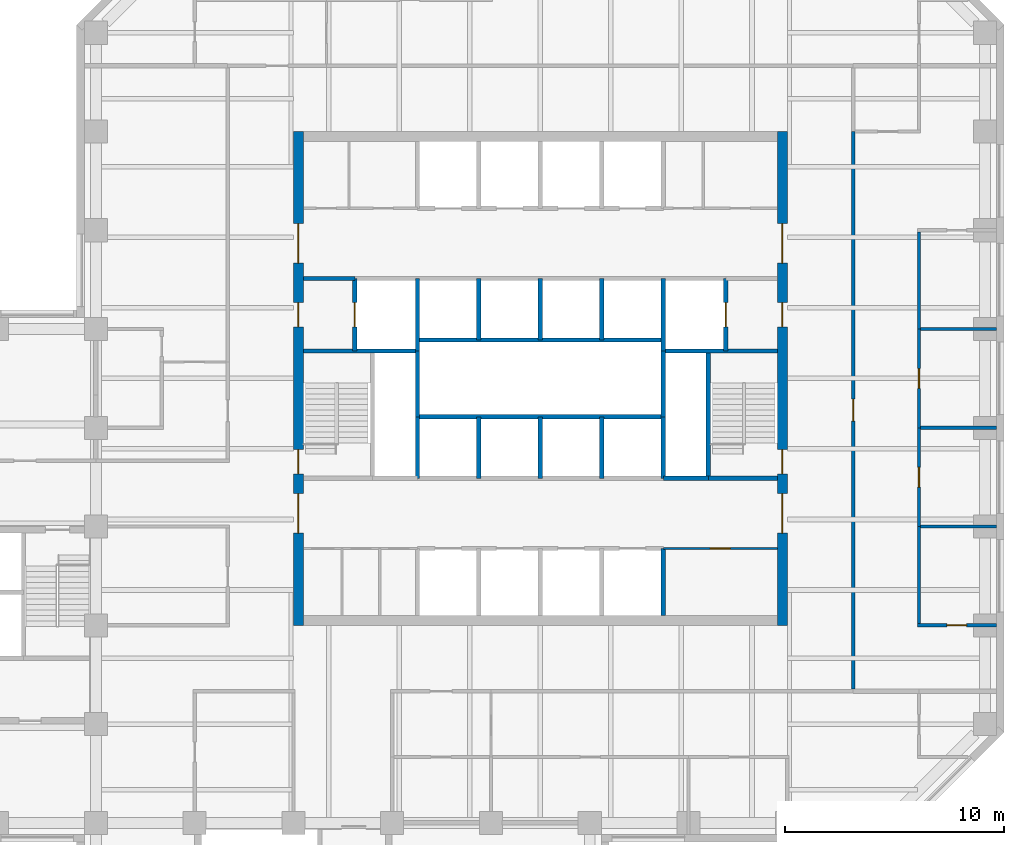
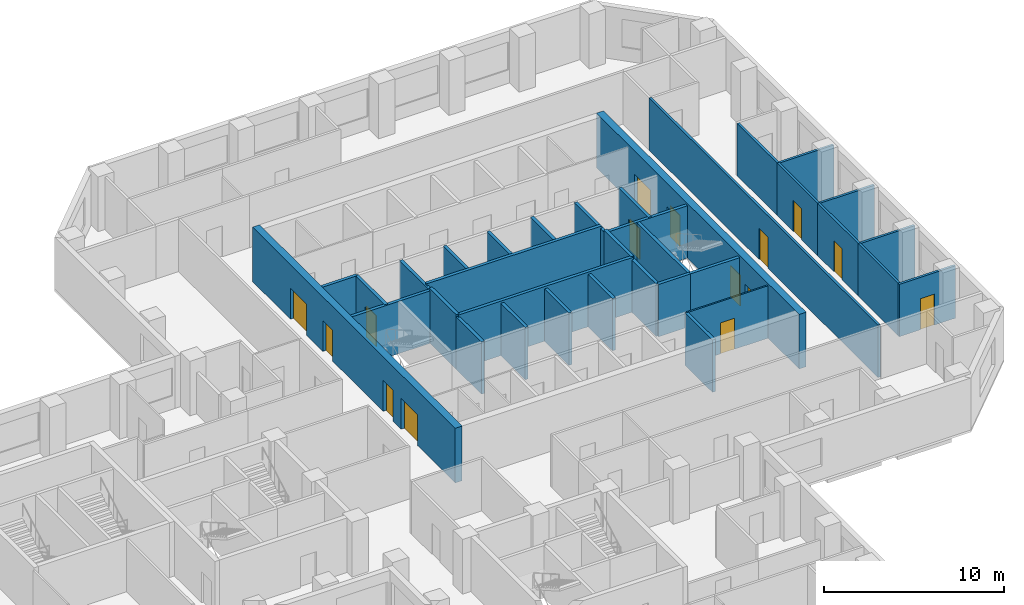
# One storey, part 7 of 11: 35 walls, 15 doors, 15 openings.
"""IFC4 building model written with IfcOpenShell, lengths in metres."""

from ifc_helpers import new_model, si_unit, direction, frame, frame_2d, origin, place, context, subcontext, project, spatial, rectangle, extrude, material, layer, layer_set, type_object, element, fill, save


model = new_model("IFC4")

# Units and contexts
model_context = context("Model", 3, precision=1e-05, world=origin(), true_north=direction((0.0, 1.0)))
body_context = subcontext(model_context, "Body", "Model", "MODEL_VIEW")
ifc_project = project(units=[si_unit("LENGTHUNIT", "METRE"), si_unit("AREAUNIT", "SQUARE_METRE"), si_unit("VOLUMEUNIT", "CUBIC_METRE"), si_unit("PLANEANGLEUNIT", "RADIAN"), si_unit("MASSUNIT", "GRAM", prefix="KILO")], contexts=[model_context])

# Site, building, storey
site_placement = place(None, origin())
site = spatial("IfcSite", under=ifc_project, at=site_placement, CompositionType="ELEMENT")
building_placement = place(site_placement, origin())
building = spatial("IfcBuilding", under=site, at=building_placement, Name="Quoin Convention Tower", CompositionType="ELEMENT")
storey_placement = place(building_placement, frame((0.0, 0.0, 101.10009765625)))
storey = spatial("IfcBuildingStorey", under=building, at=storey_placement, Name="L26", CompositionType="ELEMENT", Elevation=101.10009765625)

# Wall, opening, door
ifc_material_1 = material(Name="Plasterboard")
ifc_layer_1 = layer(ifc_material_1, 0.012451171875, Name="Finish")
ifc_material_2 = material(Name="Steel stud framing", Category="steel")
ifc_layer_2 = layer(ifc_material_2, 0.125, Name="Structure")
ifc_layer_3 = layer(ifc_material_1, 0.012451171875, Name="Finish")
ifc_layer_set_1 = layer_set([ifc_layer_1, ifc_layer_2, ifc_layer_3], Name="Steel stud framing")
wall_type_1 = type_object("IfcWallType", Name="Acoustic partition 150", PredefinedType="PARTITIONING", material=ifc_layer_set_1)
wall_1_placement = place(storey_placement, frame((73.425048828125, 49.5, 0.0), z_axis=(0.0, 0.0, 1.0), x_axis=(1.0, 0.0, 0.0)))
wall_1 = element("IfcWall", 1, at=wall_1_placement, inside=storey, type_object=wall_type_1, Name="pw-L26-025", PredefinedType="PARTITIONING", context=body_context, shape_type="SweptSolid", body=[
    extrude(rectangle(XDim=3.599853515625, YDim=0.14990234375, at=frame_2d((1.7998046875, 0.0))), origin(), (0.0, 0.0, 1.0), 3.5498046875),
])
opening_1_placement = place(wall_1_placement, frame((1.35009765625, 0.0, 0.0)))
opening_1 = element("IfcOpeningElement", 2, at=opening_1_placement, cuts=wall_1, Name="Opening DOL4-10", PredefinedType="OPENING", context=body_context, shape_type="SweptSolid", body=[
    extrude(rectangle(XDim=0.89990234375, YDim=2.10009765625, at=frame_2d((0.449951171875, 1.050048828125))), frame((0.0, 0.0849609375, 0.0), z_axis=(0.0, -1.0, 0.0), x_axis=(1.0, 0.0, 0.0)), (0.0, 0.0, 1.0), 0.169921875),
])
ifc_material_3 = material(Name="Steel door leaf", Category="steel")
door_type_1 = type_object("IfcDoorType", Name="Office door 900 x 2100", OperationType="SINGLE_SWING_RIGHT", PredefinedType="DOOR", material=ifc_material_3)
door_1_placement = place(opening_1_placement, frame((0.89990234375, 0.0, 0.0), z_axis=(0.0, 0.0, 1.0), x_axis=(-1.0, 0.0, 0.0)))
door_1 = element("IfcDoor", 3, at=door_1_placement, inside=storey, type_object=door_type_1, Name="dr-L26-25", OperationType="SINGLE_SWING_LEFT", OverallHeight=2.10009765625, OverallWidth=0.89990234375, PredefinedType="DOOR", context=body_context, shape_type="SweptSolid", body=[
    extrude(rectangle(XDim=0.89990234375, YDim=2.10009765625, at=frame_2d((0.449951171875, 1.050048828125))), frame((0.0, 0.02490234375, 0.0), z_axis=(0.0, -1.0, 0.0), x_axis=(1.0, 0.0, 0.0)), (0.0, 0.0, 1.0), 0.050048828125),
])
fill(opening_1, door_1)

# Walls
for number, where, z_axis, x_axis, name in (
    (4, (73.574951171875, 54.0, 0.0), (0.0, 0.0, 1.0), (1.0, 0.0, 0.0), "pw-L26-028"),
    (5, (73.574951171875, 58.5, 0.0), (0.0, 0.0, 1.0), (1.0, 0.0, 0.0), "pw-L26-032"),
    (6, (73.574951171875, 63.0, 0.0), (0.0, 0.0, 1.0), (1.0, 0.0, 0.0), "pw-L26-038"),
):
    element("IfcWall", number, at=place(storey_placement, frame(where, z_axis=z_axis, x_axis=x_axis)), inside=storey, type_object=wall_type_1, Name=name, PredefinedType="PARTITIONING", context=body_context, shape_type="SweptSolid", body=[
        extrude(rectangle(XDim=3.449951171875, YDim=0.14990234375, at=frame_2d((1.72509765625, 0.0))), origin(), (0.0, 0.0, 1.0), 3.5498046875),
    ])
wall_2_placement = place(storey_placement, frame((73.5, 49.574951171875, 0.0), z_axis=(0.0, 0.0, 1.0), x_axis=(0.0, 1.0, 0.0)))
element("IfcWall", 7, at=wall_2_placement, inside=storey, type_object=wall_type_1, Name="pw-L26-071", PredefinedType="PARTITIONING", context=body_context, shape_type="SweptSolid", body=[
    extrude(rectangle(XDim=4.425048828125, YDim=0.14990234375, at=frame_2d((2.21240234375, 0.0))), origin(), (0.0, 0.0, 1.0), 3.5498046875),
])

# Wall, opening, door
wall_3_placement = place(storey_placement, frame((73.5, 54.0, 0.0), z_axis=(0.0, 0.0, 1.0), x_axis=(0.0, 1.0, 0.0)))
wall_3 = element("IfcWall", 8, at=wall_3_placement, inside=storey, type_object=wall_type_1, Name="pw-L26-072", PredefinedType="PARTITIONING", context=body_context, shape_type="SweptSolid", body=[
    extrude(rectangle(XDim=4.5, YDim=0.14990234375, at=frame_2d((2.25, 0.0))), origin(), (0.0, 0.0, 1.0), 3.5498046875),
])
opening_2_placement = place(wall_3_placement, frame((1.800048828125, 0.0, 0.0)))
opening_2 = element("IfcOpeningElement", 9, at=opening_2_placement, cuts=wall_3, Name="Opening DOL4-24", PredefinedType="OPENING", context=body_context, shape_type="SweptSolid", body=[
    extrude(rectangle(XDim=0.89990234375, YDim=2.10009765625, at=frame_2d((0.449951171875, 1.050048828125))), frame((0.0, 0.0849609375, 0.0), z_axis=(0.0, -1.0, 0.0), x_axis=(1.0, 0.0, 0.0)), (0.0, 0.0, 1.0), 0.169921875),
])
door_2_placement = place(opening_2_placement, origin())
door_2 = element("IfcDoor", 10, at=door_2_placement, inside=storey, type_object=door_type_1, Name="dr-L26-26", OperationType="SINGLE_SWING_RIGHT", OverallHeight=2.10009765625, OverallWidth=0.89990234375, PredefinedType="DOOR", context=body_context, shape_type="SweptSolid", body=[
    extrude(rectangle(XDim=0.89990234375, YDim=2.10009765625, at=frame_2d((0.449951171875, 1.050048828125))), frame((0.0, 0.02490234375, 0.0), z_axis=(0.0, -1.0, 0.0), x_axis=(1.0, 0.0, 0.0)), (0.0, 0.0, 1.0), 0.050048828125),
])
fill(opening_2, door_2)

wall_4_placement = place(storey_placement, frame((73.5, 58.5, 0.0), z_axis=(0.0, 0.0, 1.0), x_axis=(0.0, 1.0, 0.0)))
wall_4 = element("IfcWall", 11, at=wall_4_placement, inside=storey, type_object=wall_type_1, Name="pw-L26-076", PredefinedType="PARTITIONING", context=body_context, shape_type="SweptSolid", body=[
    extrude(rectangle(XDim=4.5, YDim=0.14990234375, at=frame_2d((2.25, 0.0))), origin(), (0.0, 0.0, 1.0), 3.5498046875),
])
opening_3_placement = place(wall_4_placement, frame((1.800048828125, 0.0, 0.0)))
opening_3 = element("IfcOpeningElement", 12, at=opening_3_placement, cuts=wall_4, Name="Opening DOL4-26", PredefinedType="OPENING", context=body_context, shape_type="SweptSolid", body=[
    extrude(rectangle(XDim=0.89990234375, YDim=2.10009765625, at=frame_2d((0.449951171875, 1.050048828125))), frame((0.0, 0.0849609375, 0.0), z_axis=(0.0, -1.0, 0.0), x_axis=(1.0, 0.0, 0.0)), (0.0, 0.0, 1.0), 0.169921875),
])
door_3_placement = place(opening_3_placement, origin())
door_3 = element("IfcDoor", 13, at=door_3_placement, inside=storey, type_object=door_type_1, Name="dr-L26-27", OperationType="SINGLE_SWING_RIGHT", OverallHeight=2.10009765625, OverallWidth=0.89990234375, PredefinedType="DOOR", context=body_context, shape_type="SweptSolid", body=[
    extrude(rectangle(XDim=0.89990234375, YDim=2.10009765625, at=frame_2d((0.449951171875, 1.050048828125))), frame((0.0, 0.02490234375, 0.0), z_axis=(0.0, -1.0, 0.0), x_axis=(1.0, 0.0, 0.0)), (0.0, 0.0, 1.0), 0.050048828125),
])
fill(opening_3, door_3)

# Wall
wall_5_placement = place(storey_placement, frame((73.5, 63.0, 0.0), z_axis=(0.0, 0.0, 1.0), x_axis=(0.0, 1.0, 0.0)))
element("IfcWall", 14, at=wall_5_placement, inside=storey, type_object=wall_type_1, Name="pw-L26-086", PredefinedType="PARTITIONING", context=body_context, shape_type="SweptSolid", body=[
    extrude(rectangle(XDim=4.425048828125, YDim=0.14990234375, at=frame_2d((2.21240234375, 0.0))), origin(), (0.0, 0.0, 1.0), 3.5498046875),
])

# Wall, opening, door
ifc_layer_4 = layer(ifc_material_1, 0.012451171875, Name="Finish")
ifc_layer_5 = layer(ifc_material_2, 0.074951171875, Name="Structure")
ifc_layer_6 = layer(ifc_material_1, 0.012451171875, Name="Finish")
ifc_layer_set_2 = layer_set([ifc_layer_4, ifc_layer_5, ifc_layer_6], Name="Steel stud framing")
wall_type_2 = type_object("IfcWallType", Name="Core partition wall", PredefinedType="PARTITIONING", material=ifc_layer_set_2)
wall_6_placement = place(storey_placement, frame((61.85009765625, 53.0, 0.0), z_axis=(0.0, 0.0, 1.0), x_axis=(1.0, 0.0, 0.0)))
wall_6 = element("IfcWall", 15, at=wall_6_placement, inside=storey, type_object=wall_type_2, Name="cr-C1-L26-h3500_16850", PredefinedType="PARTITIONING", context=body_context, shape_type="SweptSolid", body=[
    extrude(rectangle(XDim=5.199951171875, YDim=0.10009765625, at=frame_2d((2.60009765625, 0.0))), origin(), (0.0, 0.0, 1.0), 3.5498046875),
])
opening_4_placement = place(wall_6_placement, frame((2.14990234375, 0.0, 0.0)))
opening_4 = element("IfcOpeningElement", 16, at=opening_4_placement, cuts=wall_6, Name="Opening DCV3-20", PredefinedType="OPENING", context=body_context, shape_type="SweptSolid", body=[
    extrude(rectangle(XDim=0.89990234375, YDim=2.10009765625, at=frame_2d((0.449951171875, 1.050048828125))), frame((0.0, 0.06005859375, 0.0), z_axis=(0.0, -1.0, 0.0), x_axis=(1.0, 0.0, 0.0)), (0.0, 0.0, 1.0), 0.1201171875),
])
door_type_2 = type_object("IfcDoorType", Name="Core room door 900 x 2100", OperationType="SINGLE_SWING_LEFT", PredefinedType="DOOR", material=ifc_material_3)
door_4_placement = place(opening_4_placement, frame((0.89990234375, 0.0, 0.0), z_axis=(0.0, 0.0, 1.0), x_axis=(-1.0, 0.0, 0.0)))
door_4 = element("IfcDoor", 17, at=door_4_placement, inside=storey, type_object=door_type_2, Name="cd-C1-L26-CSE0-lobA-CD2611", OperationType="SINGLE_SWING_RIGHT", OverallHeight=2.10009765625, OverallWidth=0.89990234375, PredefinedType="DOOR", context=body_context, shape_type="SweptSolid", body=[
    extrude(rectangle(XDim=0.89990234375, YDim=2.10009765625, at=frame_2d((0.449951171875, 1.050048828125))), frame((0.0, 0.02490234375, 0.0), z_axis=(0.0, -1.0, 0.0), x_axis=(1.0, 0.0, 0.0)), (0.0, 0.0, 1.0), 0.050048828125),
])
fill(opening_4, door_4)

# Walls
ifc_material_4 = material(Name="Concrete C50", Category="concrete")
ifc_layer_7 = layer(ifc_material_4, 0.199951171875)
ifc_layer_set_3 = layer_set([ifc_layer_7], Name="Concrete C50")
wall_type_3 = type_object("IfcWallType", Name="Core shaft wall", PredefinedType="SOLIDWALL", material=ifc_layer_set_3)
wall_7_placement = place(storey_placement, frame((61.85009765625, 56.199951171875, 0.0), z_axis=(0.0, 0.0, 1.0), x_axis=(1.0, 0.0, 0.0)))
element("IfcWall", 18, at=wall_7_placement, inside=storey, type_object=wall_type_3, Name="cr-C1-L26-h6700_16850", PredefinedType="SOLIDWALL", context=body_context, shape_type="SweptSolid", body=[
    extrude(rectangle(XDim=2.0498046875, YDim=0.199951171875, at=frame_2d((1.02490234375, 0.0))), origin(), (0.0, 0.0, 1.0), 3.5498046875),
])
wall_8_placement = place(storey_placement, frame((63.89990234375, 56.199951171875, 0.0), z_axis=(0.0, 0.0, 1.0), x_axis=(1.0, 0.0, 0.0)))
element("IfcWall", 19, at=wall_8_placement, inside=storey, type_object=wall_type_3, Name="cr-C1-L26-h6700_18900", PredefinedType="SOLIDWALL", context=body_context, shape_type="SweptSolid", body=[
    extrude(rectangle(XDim=3.150146484375, YDim=0.199951171875, at=frame_2d((1.5751953125, 0.0))), origin(), (0.0, 0.0, 1.0), 3.5498046875),
])
for number, where, z_axis, x_axis, name in (
    (20, (45.449951171875, 62.0, 0.0), (0.0, 0.0, 1.0), (1.0, 0.0, 0.0), "cr-C1-L26-h12500_450"),
    (21, (61.85009765625, 62.0, 0.0), (0.0, 0.0, 1.0), (1.0, 0.0, 0.0), "cr-C1-L26-h12500_16850"),
):
    element("IfcWall", number, at=place(storey_placement, frame(where, z_axis=z_axis, x_axis=x_axis)), inside=storey, type_object=wall_type_3, Name=name, PredefinedType="SOLIDWALL", context=body_context, shape_type="SweptSolid", body=[
        extrude(rectangle(XDim=5.199951171875, YDim=0.199951171875, at=frame_2d((2.60009765625, 0.0))), origin(), (0.0, 0.0, 1.0), 3.5498046875),
    ])
wall_9_placement = place(storey_placement, frame((45.449951171875, 65.300048828125, 0.0), z_axis=(0.0, 0.0, 1.0), x_axis=(1.0, 0.0, 0.0)))
element("IfcWall", 22, at=wall_9_placement, inside=storey, type_object=wall_type_3, Name="cr-C1-L26-h15800_450", PredefinedType="SOLIDWALL", context=body_context, shape_type="SweptSolid", body=[
    extrude(rectangle(XDim=2.35009765625, YDim=0.199951171875, at=frame_2d((1.175048828125, 0.0))), origin(), (0.0, 0.0, 1.0), 3.5498046875),
])

# Wall, opening, door
wall_10_placement = place(storey_placement, frame((47.800048828125, 62.0, 0.0), z_axis=(0.0, 0.0, 1.0), x_axis=(0.0, 1.0, 0.0)))
wall_10 = element("IfcWall", 23, at=wall_10_placement, inside=storey, type_object=wall_type_3, Name="cr-C1-L26-v2800_12500", PredefinedType="SOLIDWALL", context=body_context, shape_type="SweptSolid", body=[
    extrude(rectangle(XDim=3.300048828125, YDim=0.199951171875, at=frame_2d((1.64990234375, 0.0))), origin(), (0.0, 0.0, 1.0), 3.5498046875),
])
opening_5_placement = place(wall_10_placement, frame((1.10009765625, 0.0, 0.0)))
opening_5 = element("IfcOpeningElement", 24, at=opening_5_placement, cuts=wall_10, Name="Opening LDFL1", PredefinedType="OPENING", context=body_context, shape_type="SweptSolid", body=[
    extrude(rectangle(XDim=1.10009765625, YDim=2.10009765625, at=frame_2d((0.550048828125, 1.050048828125))), frame((0.0, 0.10986328125, 0.0), z_axis=(0.0, -1.0, 0.0), x_axis=(1.0, 0.0, 0.0)), (0.0, 0.0, 1.0), 0.219970703125),
])
door_type_3 = type_object("IfcDoorType", Name="Lift landing door 1100 x 2100", OperationType="DOUBLE_DOOR_SLIDING", PredefinedType="DOOR", material=ifc_material_3)
door_5_placement = place(opening_5_placement, origin())
door_5 = element("IfcDoor", 25, at=door_5_placement, inside=storey, type_object=door_type_3, Name="cd-C1-L26-FLW-FFW-LDFL1", OperationType="DOUBLE_DOOR_SLIDING", OverallHeight=2.10009765625, OverallWidth=1.10009765625, PredefinedType="DOOR", context=body_context, shape_type="SweptSolid", body=[
    extrude(rectangle(XDim=1.10009765625, YDim=2.10009765625, at=frame_2d((0.550048828125, 1.050048828125))), frame((0.0, 0.02490234375, 0.0), z_axis=(0.0, -1.0, 0.0), x_axis=(1.0, 0.0, 0.0)), (0.0, 0.0, 1.0), 0.050048828125),
])
fill(opening_5, door_5)

# Walls
wall_11_placement = place(storey_placement, frame((50.64990234375, 56.199951171875, 0.0), z_axis=(0.0, 0.0, 1.0), x_axis=(0.0, 1.0, 0.0)))
element("IfcWall", 26, at=wall_11_placement, inside=storey, type_object=wall_type_3, Name="cr-C1-L26-v5650_6700", PredefinedType="SOLIDWALL", context=body_context, shape_type="SweptSolid", body=[
    extrude(rectangle(XDim=2.800048828125, YDim=0.199951171875, at=frame_2d((1.39990234375, 0.0))), origin(), (0.0, 0.0, 1.0), 3.5498046875),
])
wall_12_placement = place(storey_placement, frame((50.64990234375, 62.0, 0.0), z_axis=(0.0, 0.0, 1.0), x_axis=(0.0, 1.0, 0.0)))
element("IfcWall", 27, at=wall_12_placement, inside=storey, type_object=wall_type_3, Name="cr-C1-L26-v5650_12500", PredefinedType="SOLIDWALL", context=body_context, shape_type="SweptSolid", body=[
    extrude(rectangle(XDim=3.300048828125, YDim=0.199951171875, at=frame_2d((1.64990234375, 0.0))), origin(), (0.0, 0.0, 1.0), 3.5498046875),
])
for number, where, z_axis, x_axis, name in (
    (28, (53.449951171875, 56.199951171875, 0.0), (0.0, 0.0, 1.0), (0.0, 1.0, 0.0), "cr-C1-L26-v8450_6700"),
    (29, (53.449951171875, 62.5, 0.0), (0.0, 0.0, 1.0), (0.0, 1.0, 0.0), "cr-C1-L26-v8450_13000"),
    (30, (56.25, 56.199951171875, 0.0), (0.0, 0.0, 1.0), (0.0, 1.0, 0.0), "cr-C1-L26-v11250_6700"),
    (31, (56.25, 62.5, 0.0), (0.0, 0.0, 1.0), (0.0, 1.0, 0.0), "cr-C1-L26-v11250_13000"),
    (32, (59.050048828125, 56.199951171875, 0.0), (0.0, 0.0, 1.0), (0.0, 1.0, 0.0), "cr-C1-L26-v14050_6700"),
    (33, (59.050048828125, 62.5, 0.0), (0.0, 0.0, 1.0), (0.0, 1.0, 0.0), "cr-C1-L26-v14050_13000"),
):
    element("IfcWall", number, at=place(storey_placement, frame(where, z_axis=z_axis, x_axis=x_axis)), inside=storey, type_object=wall_type_3, Name=name, PredefinedType="SOLIDWALL", context=body_context, shape_type="SweptSolid", body=[
        extrude(rectangle(XDim=2.800048828125, YDim=0.199951171875, at=frame_2d((1.39990234375, 0.0))), origin(), (0.0, 0.0, 1.0), 3.5498046875),
    ])
wall_13_placement = place(storey_placement, frame((61.85009765625, 49.949951171875, 0.0), z_axis=(0.0, 0.0, 1.0), x_axis=(0.0, 1.0, 0.0)))
element("IfcWall", 34, at=wall_13_placement, inside=storey, type_object=wall_type_3, Name="cr-C1-L26-v16850_450", PredefinedType="SOLIDWALL", context=body_context, shape_type="SweptSolid", body=[
    extrude(rectangle(XDim=3.050048828125, YDim=0.199951171875, at=frame_2d((1.52490234375, 0.0))), origin(), (0.0, 0.0, 1.0), 3.5498046875),
])
wall_14_placement = place(storey_placement, frame((61.85009765625, 56.199951171875, 0.0), z_axis=(0.0, 0.0, 1.0), x_axis=(0.0, 1.0, 0.0)))
element("IfcWall", 35, at=wall_14_placement, inside=storey, type_object=wall_type_3, Name="cr-C1-L26-v16850_6700", PredefinedType="SOLIDWALL", context=body_context, shape_type="SweptSolid", body=[
    extrude(rectangle(XDim=2.800048828125, YDim=0.199951171875, at=frame_2d((1.39990234375, 0.0))), origin(), (0.0, 0.0, 1.0), 3.5498046875),
])
wall_15_placement = place(storey_placement, frame((61.85009765625, 62.0, 0.0), z_axis=(0.0, 0.0, 1.0), x_axis=(0.0, 1.0, 0.0)))
element("IfcWall", 36, at=wall_15_placement, inside=storey, type_object=wall_type_3, Name="cr-C1-L26-v16850_12500", PredefinedType="SOLIDWALL", context=body_context, shape_type="SweptSolid", body=[
    extrude(rectangle(XDim=3.300048828125, YDim=0.199951171875, at=frame_2d((1.64990234375, 0.0))), origin(), (0.0, 0.0, 1.0), 3.5498046875),
])
wall_16_placement = place(storey_placement, frame((63.89990234375, 56.199951171875, 0.0), z_axis=(0.0, 0.0, 1.0), x_axis=(0.0, 1.0, 0.0)))
element("IfcWall", 37, at=wall_16_placement, inside=storey, type_object=wall_type_3, Name="cr-C1-L26-v18900_6700", PredefinedType="SOLIDWALL", context=body_context, shape_type="SweptSolid", body=[
    extrude(rectangle(XDim=5.800048828125, YDim=0.199951171875, at=frame_2d((2.89990234375, 0.0))), origin(), (0.0, 0.0, 1.0), 3.5498046875),
])

# Wall, opening, door
wall_17_placement = place(storey_placement, frame((64.699951171875, 62.0, 0.0), z_axis=(0.0, 0.0, 1.0), x_axis=(0.0, 1.0, 0.0)))
wall_17 = element("IfcWall", 38, at=wall_17_placement, inside=storey, type_object=wall_type_3, Name="cr-C1-L26-v19700_12500", PredefinedType="SOLIDWALL", context=body_context, shape_type="SweptSolid", body=[
    extrude(rectangle(XDim=3.300048828125, YDim=0.199951171875, at=frame_2d((1.64990234375, 0.0))), origin(), (0.0, 0.0, 1.0), 3.5498046875),
])
opening_6_placement = place(wall_17_placement, frame((1.10009765625, 0.0, 0.0)))
opening_6 = element("IfcOpeningElement", 39, at=opening_6_placement, cuts=wall_17, Name="Opening LDFL2", PredefinedType="OPENING", context=body_context, shape_type="SweptSolid", body=[
    extrude(rectangle(XDim=1.10009765625, YDim=2.10009765625, at=frame_2d((0.550048828125, 1.050048828125))), frame((0.0, 0.10986328125, 0.0), z_axis=(0.0, -1.0, 0.0), x_axis=(1.0, 0.0, 0.0)), (0.0, 0.0, 1.0), 0.219970703125),
])
door_6_placement = place(opening_6_placement, origin())
door_6 = element("IfcDoor", 40, at=door_6_placement, inside=storey, type_object=door_type_3, Name="cd-C1-L26-FLE-FFE-LDFL2", OperationType="DOUBLE_DOOR_SLIDING", OverallHeight=2.10009765625, OverallWidth=1.10009765625, PredefinedType="DOOR", context=body_context, shape_type="SweptSolid", body=[
    extrude(rectangle(XDim=1.10009765625, YDim=2.10009765625, at=frame_2d((0.550048828125, 1.050048828125))), frame((0.0, 0.02490234375, 0.0), z_axis=(0.0, -1.0, 0.0), x_axis=(1.0, 0.0, 0.0)), (0.0, 0.0, 1.0), 0.050048828125),
])
fill(opening_6, door_6)

# Walls
ifc_layer_8 = layer(ifc_material_4, 0.199951171875)
ifc_layer_set_4 = layer_set([ifc_layer_8], Name="Concrete C50")
wall_type_4 = type_object("IfcWallType", Name="Core shaft wall to the floor level over", PredefinedType="SOLIDWALL", material=ifc_layer_set_4)
for number, where, z_axis, x_axis, name in (
    (41, (50.64990234375, 59.0, 0.0), (0.0, 0.0, 1.0), (1.0, 0.0, 0.0), "cr-C1-L26-h9500_5650"),
    (42, (50.64990234375, 62.5, 0.0), (0.0, 0.0, 1.0), (1.0, 0.0, 0.0), "cr-C1-L26-h13000_5650"),
):
    element("IfcWall", number, at=place(storey_placement, frame(where, z_axis=z_axis, x_axis=x_axis)), inside=storey, type_object=wall_type_4, Name=name, PredefinedType="SOLIDWALL", context=body_context, shape_type="SweptSolid", body=[
        extrude(rectangle(XDim=11.2001953125, YDim=0.199951171875, at=frame_2d((5.60009765625, 0.0))), origin(), (0.0, 0.0, 1.0), 3.699951171875),
    ])
for number, where, z_axis, x_axis, name in (
    (43, (50.64990234375, 59.0, 0.0), (0.0, 0.0, 1.0), (0.0, 1.0, 0.0), "cr-C1-L26-v5650_9500"),
    (44, (61.85009765625, 59.0, 0.0), (0.0, 0.0, 1.0), (0.0, 1.0, 0.0), "cr-C1-L26-v16850_9500"),
):
    element("IfcWall", number, at=place(storey_placement, frame(where, z_axis=z_axis, x_axis=x_axis)), inside=storey, type_object=wall_type_4, Name=name, PredefinedType="SOLIDWALL", context=body_context, shape_type="SweptSolid", body=[
        extrude(rectangle(XDim=3.0, YDim=0.199951171875, at=frame_2d((1.5, 0.0))), origin(), (0.0, 0.0, 1.0), 3.699951171875),
    ])

# Wall, opening, door
ifc_layer_9 = layer(ifc_material_1, 0.012451171875, Name="Finish")
ifc_layer_10 = layer(ifc_material_2, 0.125, Name="Structure")
ifc_layer_11 = layer(ifc_material_1, 0.012451171875, Name="Finish")
ifc_layer_set_5 = layer_set([ifc_layer_9, ifc_layer_10, ifc_layer_11], Name="Steel stud framing")
wall_type_5 = type_object("IfcWallType", Name="Corridor wall 150", PredefinedType="PARTITIONING", material=ifc_layer_set_5)
wall_18_placement = place(storey_placement, frame((70.5, 46.60009765625, 0.0), z_axis=(0.0, 0.0, 1.0), x_axis=(0.0, 1.0, 0.0)))
wall_18 = element("IfcWall", 45, at=wall_18_placement, inside=storey, type_object=wall_type_5, Name="pw-L26-067", PredefinedType="PARTITIONING", context=body_context, shape_type="SweptSolid", body=[
    extrude(rectangle(XDim=25.39990234375, YDim=0.14990234375, at=frame_2d((12.699951171875, 0.0))), origin(), (0.0, 0.0, 1.0), 3.5498046875),
])
opening_7_placement = place(wall_18_placement, frame((12.199951171875, 0.0, 0.0)))
opening_7 = element("IfcOpeningElement", 46, at=opening_7_placement, cuts=wall_18, Name="Opening DOL4-22", PredefinedType="OPENING", context=body_context, shape_type="SweptSolid", body=[
    extrude(rectangle(XDim=1.0, YDim=2.10009765625, at=frame_2d((0.5, 1.050048828125))), frame((0.0, 0.0849609375, 0.0), z_axis=(0.0, -1.0, 0.0), x_axis=(1.0, 0.0, 0.0)), (0.0, 0.0, 1.0), 0.169921875),
])
door_type_4 = type_object("IfcDoorType", Name="Tenancy entrance door 1000 x 2100", OperationType="DOUBLE_DOOR_SINGLE_SWING", PredefinedType="DOOR", material=ifc_material_3)
door_7_placement = place(opening_7_placement, origin())
door_7 = element("IfcDoor", 47, at=door_7_placement, inside=storey, type_object=door_type_4, Name="dr-L26-23", OperationType="DOUBLE_DOOR_SINGLE_SWING", OverallHeight=2.10009765625, OverallWidth=1.0, PredefinedType="DOOR", context=body_context, shape_type="SweptSolid", body=[
    extrude(rectangle(XDim=1.0, YDim=2.10009765625, at=frame_2d((0.5, 1.050048828125))), frame((0.0, 0.02490234375, 0.0), z_axis=(0.0, -1.0, 0.0), x_axis=(1.0, 0.0, 0.0)), (0.0, 0.0, 1.0), 0.050048828125),
])
fill(opening_7, door_7)

# Wall, openings, doors
ifc_material_5 = material(Name="Concrete C65", Category="concrete")
ifc_layer_12 = layer(ifc_material_5, 0.449951171875)
ifc_layer_set_6 = layer_set([ifc_layer_12], Name="Concrete C65")
wall_type_6 = type_object("IfcWallType", Name="RC CORE WALL 450 C65", PredefinedType="SHEAR", material=ifc_layer_set_6)
wall_19_placement = place(storey_placement, frame((45.22509765625, 49.5, 0.0), z_axis=(0.0, 0.0, 1.0), x_axis=(0.0, 1.0, 0.0)))
wall_19 = element("IfcWall", 48, at=wall_19_placement, inside=storey, type_object=wall_type_6, Name="cwl-C1-L26-W", PredefinedType="SHEAR", context=body_context, shape_type="SweptSolid", body=[
    extrude(rectangle(XDim=22.5, YDim=0.449951171875, at=frame_2d((11.25, 0.0))), origin(), (0.0, 0.0, 1.0), 3.699951171875),
])
opening_8_placement = place(wall_19_placement, frame((4.199951171875, 0.0, 0.0)))
opening_8 = element("IfcOpeningElement", 49, at=opening_8_placement, cuts=wall_19, Name="Opening DCV3-40", PredefinedType="OPENING", context=body_context, shape_type="SweptSolid", body=[
    extrude(rectangle(XDim=1.800048828125, YDim=2.10009765625, at=frame_2d((0.89990234375, 1.050048828125))), frame((0.0, 0.23486328125, 0.0), z_axis=(0.0, -1.0, 0.0), x_axis=(1.0, 0.0, 0.0)), (0.0, 0.0, 1.0), 0.469970703125),
])
opening_9_placement = place(wall_19_placement, frame((6.89990234375, 0.0, 0.0)))
opening_9 = element("IfcOpeningElement", 50, at=opening_9_placement, cuts=wall_19, Name="Opening SD1", PredefinedType="OPENING", context=body_context, shape_type="SweptSolid", body=[
    extrude(rectangle(XDim=1.10009765625, YDim=2.10009765625, at=frame_2d((0.550048828125, 1.050048828125))), frame((0.0, 0.23486328125, 0.0), z_axis=(0.0, -1.0, 0.0), x_axis=(1.0, 0.0, 0.0)), (0.0, 0.0, 1.0), 0.469970703125),
])
opening_10_placement = place(wall_19_placement, frame((13.60009765625, 0.0, 0.0)))
opening_10 = element("IfcOpeningElement", 51, at=opening_10_placement, cuts=wall_19, Name="Opening DCV3-39", PredefinedType="OPENING", context=body_context, shape_type="SweptSolid", body=[
    extrude(rectangle(XDim=1.10009765625, YDim=2.10009765625, at=frame_2d((0.550048828125, 1.050048828125))), frame((0.0, 0.23486328125, 0.0), z_axis=(0.0, -1.0, 0.0), x_axis=(1.0, 0.0, 0.0)), (0.0, 0.0, 1.0), 0.469970703125),
])
opening_11_placement = place(wall_19_placement, frame((16.5, 0.0, 0.0)))
opening_11 = element("IfcOpeningElement", 52, at=opening_11_placement, cuts=wall_19, Name="Opening DCV3-40", PredefinedType="OPENING", context=body_context, shape_type="SweptSolid", body=[
    extrude(rectangle(XDim=1.800048828125, YDim=2.10009765625, at=frame_2d((0.89990234375, 1.050048828125))), frame((0.0, 0.23486328125, 0.0), z_axis=(0.0, -1.0, 0.0), x_axis=(1.0, 0.0, 0.0)), (0.0, 0.0, 1.0), 0.469970703125),
])
door_type_5 = type_object("IfcDoorType", Name="Fire-fighting lobby door 1100 x 2100", OperationType="SINGLE_SWING_LEFT", PredefinedType="DOOR", material=ifc_material_3)
door_8_placement = place(opening_10_placement, frame((1.10009765625, 0.0, 0.0), z_axis=(0.0, 0.0, 1.0), x_axis=(-1.0, 0.0, 0.0)))
door_8 = element("IfcDoor", 53, at=door_8_placement, inside=storey, type_object=door_type_5, Name="cd-C1-L26-FFW-W", OperationType="SINGLE_SWING_LEFT", OverallHeight=2.10009765625, OverallWidth=1.10009765625, PredefinedType="DOOR", context=body_context, shape_type="SweptSolid", body=[
    extrude(rectangle(XDim=1.10009765625, YDim=2.10009765625, at=frame_2d((0.550048828125, 1.050048828125))), frame((0.0, 0.02490234375, 0.0), z_axis=(0.0, -1.0, 0.0), x_axis=(1.0, 0.0, 0.0)), (0.0, 0.0, 1.0), 0.050048828125),
])
fill(opening_10, door_8)
door_type_6 = type_object("IfcDoorType", Name="Lift lobby door 1800 x 2100", OperationType="SINGLE_SWING_LEFT", PredefinedType="DOOR", material=ifc_material_3)
door_9_placement = place(opening_8_placement, frame((1.800048828125, 0.0, 0.0), z_axis=(0.0, 0.0, 1.0), x_axis=(-1.0, 0.0, 0.0)))
door_9 = element("IfcDoor", 54, at=door_9_placement, inside=storey, type_object=door_type_6, Name="cd-C1-L26-lobA-W", OperationType="SINGLE_SWING_LEFT", OverallHeight=2.10009765625, OverallWidth=1.800048828125, PredefinedType="DOOR", context=body_context, shape_type="SweptSolid", body=[
    extrude(rectangle(XDim=1.800048828125, YDim=2.10009765625, at=frame_2d((0.89990234375, 1.050048828125))), frame((0.0, 0.02490234375, 0.0), z_axis=(0.0, -1.0, 0.0), x_axis=(1.0, 0.0, 0.0)), (0.0, 0.0, 1.0), 0.050048828125),
])
fill(opening_8, door_9)
door_10_placement = place(opening_11_placement, frame((1.800048828125, 0.0, 0.0), z_axis=(0.0, 0.0, 1.0), x_axis=(-1.0, 0.0, 0.0)))
door_10 = element("IfcDoor", 55, at=door_10_placement, inside=storey, type_object=door_type_6, Name="cd-C1-L26-lobB-W", OperationType="SINGLE_SWING_LEFT", OverallHeight=2.10009765625, OverallWidth=1.800048828125, PredefinedType="DOOR", context=body_context, shape_type="SweptSolid", body=[
    extrude(rectangle(XDim=1.800048828125, YDim=2.10009765625, at=frame_2d((0.89990234375, 1.050048828125))), frame((0.0, 0.02490234375, 0.0), z_axis=(0.0, -1.0, 0.0), x_axis=(1.0, 0.0, 0.0)), (0.0, 0.0, 1.0), 0.050048828125),
])
fill(opening_11, door_10)
door_type_7 = type_object("IfcDoorType", Name="Stair door 1100 x 2100", OperationType="SINGLE_SWING_RIGHT", PredefinedType="DOOR", material=ifc_material_3)
door_11_placement = place(opening_9_placement, frame((1.10009765625, 0.0, 0.0), z_axis=(0.0, 0.0, 1.0), x_axis=(-1.0, 0.0, 0.0)))
door_11 = element("IfcDoor", 56, at=door_11_placement, inside=storey, type_object=door_type_7, Name="cd-C1-L26-STW-W", OperationType="SINGLE_SWING_RIGHT", OverallHeight=2.10009765625, OverallWidth=1.10009765625, PredefinedType="DOOR", context=body_context, shape_type="SweptSolid", body=[
    extrude(rectangle(XDim=1.10009765625, YDim=2.10009765625, at=frame_2d((0.550048828125, 1.050048828125))), frame((0.0, 0.02490234375, 0.0), z_axis=(0.0, -1.0, 0.0), x_axis=(1.0, 0.0, 0.0)), (0.0, 0.0, 1.0), 0.050048828125),
])
fill(opening_9, door_11)

wall_20_placement = place(storey_placement, frame((67.27490234375, 49.5, 0.0), z_axis=(0.0, 0.0, 1.0), x_axis=(0.0, 1.0, 0.0)))
wall_20 = element("IfcWall", 57, at=wall_20_placement, inside=storey, type_object=wall_type_6, Name="cwl-C1-L26-E", PredefinedType="SHEAR", context=body_context, shape_type="SweptSolid", body=[
    extrude(rectangle(XDim=22.5, YDim=0.449951171875, at=frame_2d((11.25, 0.0))), origin(), (0.0, 0.0, 1.0), 3.699951171875),
])
opening_12_placement = place(wall_20_placement, frame((4.199951171875, 0.0, 0.0)))
opening_12 = element("IfcOpeningElement", 58, at=opening_12_placement, cuts=wall_20, Name="Opening DCV3-38", PredefinedType="OPENING", context=body_context, shape_type="SweptSolid", body=[
    extrude(rectangle(XDim=1.800048828125, YDim=2.10009765625, at=frame_2d((0.89990234375, 1.050048828125))), frame((0.0, 0.23486328125, 0.0), z_axis=(0.0, -1.0, 0.0), x_axis=(1.0, 0.0, 0.0)), (0.0, 0.0, 1.0), 0.469970703125),
])
opening_13_placement = place(wall_20_placement, frame((6.89990234375, 0.0, 0.0)))
opening_13 = element("IfcOpeningElement", 59, at=opening_13_placement, cuts=wall_20, Name="Opening SD2", PredefinedType="OPENING", context=body_context, shape_type="SweptSolid", body=[
    extrude(rectangle(XDim=1.10009765625, YDim=2.10009765625, at=frame_2d((0.550048828125, 1.050048828125))), frame((0.0, 0.23486328125, 0.0), z_axis=(0.0, -1.0, 0.0), x_axis=(1.0, 0.0, 0.0)), (0.0, 0.0, 1.0), 0.469970703125),
])
opening_14_placement = place(wall_20_placement, frame((13.60009765625, 0.0, 0.0)))
opening_14 = element("IfcOpeningElement", 60, at=opening_14_placement, cuts=wall_20, Name="Opening DCV3-37", PredefinedType="OPENING", context=body_context, shape_type="SweptSolid", body=[
    extrude(rectangle(XDim=1.10009765625, YDim=2.10009765625, at=frame_2d((0.550048828125, 1.050048828125))), frame((0.0, 0.23486328125, 0.0), z_axis=(0.0, -1.0, 0.0), x_axis=(1.0, 0.0, 0.0)), (0.0, 0.0, 1.0), 0.469970703125),
])
opening_15_placement = place(wall_20_placement, frame((16.5, 0.0, 0.0)))
opening_15 = element("IfcOpeningElement", 61, at=opening_15_placement, cuts=wall_20, Name="Opening DCV3-38", PredefinedType="OPENING", context=body_context, shape_type="SweptSolid", body=[
    extrude(rectangle(XDim=1.800048828125, YDim=2.10009765625, at=frame_2d((0.89990234375, 1.050048828125))), frame((0.0, 0.23486328125, 0.0), z_axis=(0.0, -1.0, 0.0), x_axis=(1.0, 0.0, 0.0)), (0.0, 0.0, 1.0), 0.469970703125),
])
door_12_placement = place(opening_14_placement, origin())
door_12 = element("IfcDoor", 62, at=door_12_placement, inside=storey, type_object=door_type_5, Name="cd-C1-L26-FFE-E", OperationType="SINGLE_SWING_RIGHT", OverallHeight=2.10009765625, OverallWidth=1.10009765625, PredefinedType="DOOR", context=body_context, shape_type="SweptSolid", body=[
    extrude(rectangle(XDim=1.10009765625, YDim=2.10009765625, at=frame_2d((0.550048828125, 1.050048828125))), frame((0.0, 0.02490234375, 0.0), z_axis=(0.0, -1.0, 0.0), x_axis=(1.0, 0.0, 0.0)), (0.0, 0.0, 1.0), 0.050048828125),
])
fill(opening_14, door_12)
door_13_placement = place(opening_12_placement, origin())
door_13 = element("IfcDoor", 63, at=door_13_placement, inside=storey, type_object=door_type_6, Name="cd-C1-L26-lobA-E", OperationType="SINGLE_SWING_RIGHT", OverallHeight=2.10009765625, OverallWidth=1.800048828125, PredefinedType="DOOR", context=body_context, shape_type="SweptSolid", body=[
    extrude(rectangle(XDim=1.800048828125, YDim=2.10009765625, at=frame_2d((0.89990234375, 1.050048828125))), frame((0.0, 0.02490234375, 0.0), z_axis=(0.0, -1.0, 0.0), x_axis=(1.0, 0.0, 0.0)), (0.0, 0.0, 1.0), 0.050048828125),
])
fill(opening_12, door_13)
door_14_placement = place(opening_15_placement, origin())
door_14 = element("IfcDoor", 64, at=door_14_placement, inside=storey, type_object=door_type_6, Name="cd-C1-L26-lobB-E", OperationType="SINGLE_SWING_RIGHT", OverallHeight=2.10009765625, OverallWidth=1.800048828125, PredefinedType="DOOR", context=body_context, shape_type="SweptSolid", body=[
    extrude(rectangle(XDim=1.800048828125, YDim=2.10009765625, at=frame_2d((0.89990234375, 1.050048828125))), frame((0.0, 0.02490234375, 0.0), z_axis=(0.0, -1.0, 0.0), x_axis=(1.0, 0.0, 0.0)), (0.0, 0.0, 1.0), 0.050048828125),
])
fill(opening_15, door_14)
door_15_placement = place(opening_13_placement, origin())
door_15 = element("IfcDoor", 65, at=door_15_placement, inside=storey, type_object=door_type_7, Name="cd-C1-L26-STE-E", OperationType="SINGLE_SWING_LEFT", OverallHeight=2.10009765625, OverallWidth=1.10009765625, PredefinedType="DOOR", context=body_context, shape_type="SweptSolid", body=[
    extrude(rectangle(XDim=1.10009765625, YDim=2.10009765625, at=frame_2d((0.550048828125, 1.050048828125))), frame((0.0, 0.02490234375, 0.0), z_axis=(0.0, -1.0, 0.0), x_axis=(1.0, 0.0, 0.0)), (0.0, 0.0, 1.0), 0.050048828125),
])
fill(opening_13, door_15)

save(model, "model.ifc")
